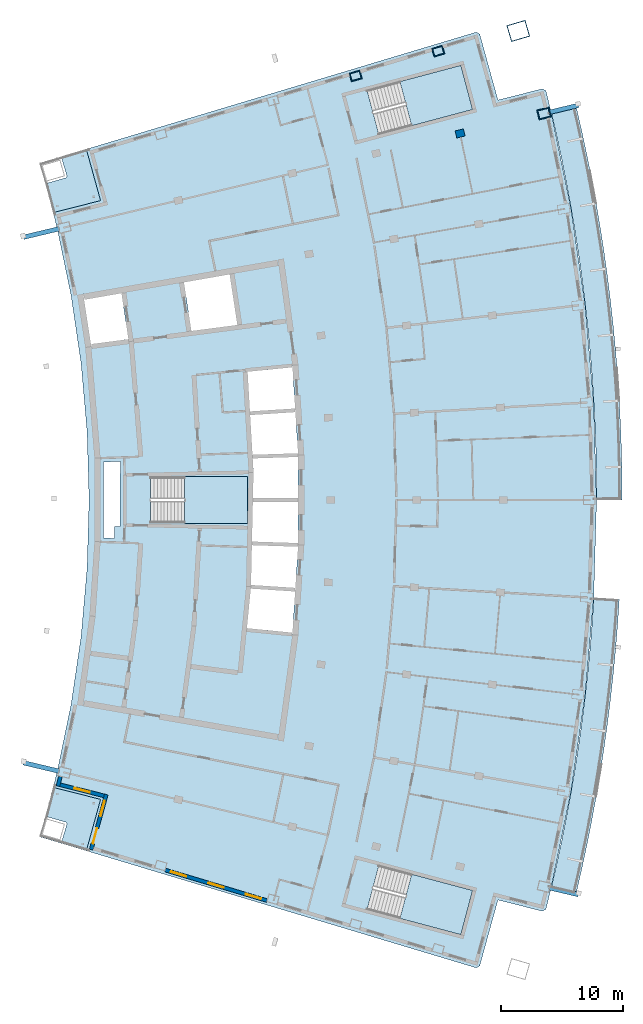
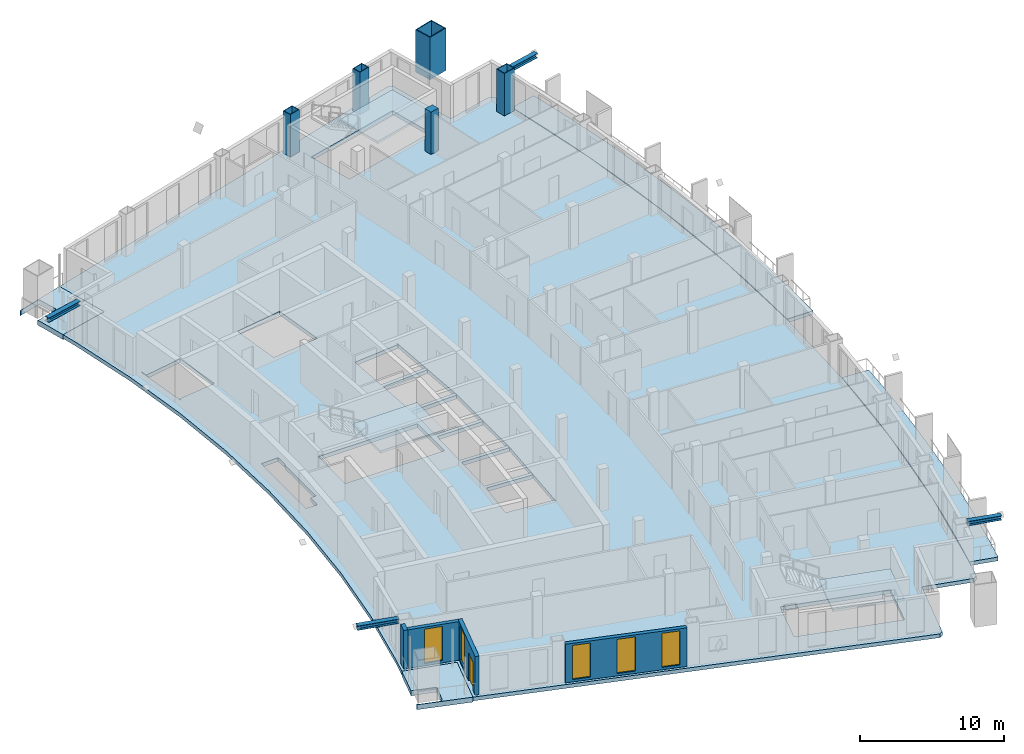
# One storey, part 6 of 15: 8 slabs, 5 columns, 5 windows, 4 members, 4 walls, 1 door, 6 openings, 3 elements without a shape of their own.
"""IFC4 building model written with IfcOpenShell, lengths in metres."""

import ifcopenshell
import ifcopenshell.guid

model = None  # the IFC model being written
_history = None  # IfcOwnerHistory: only IFC2X3 demands one
_inside = {}  # id of a spatial element -> (the spatial element, [elements in it])
_under = {}  # id of a project, library or spatial element -> (it, [spatial elements below it])
_declared = {}  # id of a project -> (the project, [libraries it declares])
_typed = {}  # id of a type object -> (the type object, [elements of that type])
_made_of = {}  # id of a material, layer set ... -> (it, [elements and type objects made of it])


def new_model(schema):
    """Start an empty IFC model of exactly this schema.

    Asked for "IFC4X3", IfcOpenShell would pick the latest addendum, in which some entities
    have other attributes; the version numbers below select the first issue.
    IFC2X3 requires an IfcOwnerHistory on every rooted entity: one is made here for all.
    """
    global model, _history
    if schema == "IFC4X3":
        model = ifcopenshell.file(schema_version=(4, 3, 0, 0))
    else:
        model = ifcopenshell.file(schema=schema)
    _inside.clear()
    _under.clear()
    _declared.clear()
    _typed.clear()
    _made_of.clear()
    _history = None
    if model.schema == "IFC2X3":
        org = make("IfcOrganization", Name="unknown")
        user = make(
            "IfcPersonAndOrganization",
            ThePerson=make("IfcPerson", FamilyName="unknown"),
            TheOrganization=org,
        )
        app = make(
            "IfcApplication",
            ApplicationDeveloper=org,
            Version="unknown",
            ApplicationFullName="unknown",
            ApplicationIdentifier="unknown",
        )
        _history = make(
            "IfcOwnerHistory",
            OwningUser=user,
            OwningApplication=app,
            ChangeAction="ADDED",
            CreationDate=0,
        )
    return model


def make(cls, **values):
    """One entity of the class cls with the attributes given. An attribute that is None is left unset."""
    return model.create_entity(
        cls, **{name: value for name, value in values.items() if value is not None}
    )


def rooted(cls, **values):
    """An entity with a GlobalId (a new one), such as an element, a storey or a relation."""
    return make(cls, GlobalId=ifcopenshell.guid.new(), OwnerHistory=_history, **values)


def si_unit(unit_type, name, prefix=None):
    """IfcSIUnit, for example si_unit("LENGTHUNIT", "METRE", prefix="MILLI")."""
    return make("IfcSIUnit", UnitType=unit_type, Prefix=prefix, Name=name)


def assignment(units):
    """IfcUnitAssignment: the units of a project."""
    return None if units is None else make("IfcUnitAssignment", Units=units)


def point(xyz):
    """IfcCartesianPoint."""
    return None if xyz is None else make("IfcCartesianPoint", Coordinates=xyz)


def direction(xyz):
    """IfcDirection."""
    return None if xyz is None else make("IfcDirection", DirectionRatios=xyz)


def frame(location, z_axis=None, x_axis=None):
    """IfcAxis2Placement3D, a coordinate frame: its origin and axes. An axis left out is left unset."""
    return make(
        "IfcAxis2Placement3D",
        Location=point(location),
        Axis=direction(z_axis),
        RefDirection=direction(x_axis),
    )


def frame_2d(location, x_axis=None):
    """IfcAxis2Placement2D, a coordinate frame in the plane: its origin and x axis."""
    return make(
        "IfcAxis2Placement2D", Location=point(location), RefDirection=direction(x_axis)
    )


def origin():
    """The frame at (0, 0, 0) with its axes left unset."""
    return frame((0.0, 0.0, 0.0))


def origin_2d():
    """The frame at (0, 0) in the plane with its x axis left unset."""
    return frame_2d((0.0, 0.0))


def place(relative_to, where):
    """IfcLocalPlacement: puts the frame where relative to a parent placement (None: the world)."""
    return make(
        "IfcLocalPlacement", PlacementRelTo=relative_to, RelativePlacement=where
    )


def context(
    kind, dimensions, precision=None, world=None, true_north=None, identifier=None
):
    """IfcGeometricRepresentationContext, for example the 3D "Model" context."""
    return make(
        "IfcGeometricRepresentationContext",
        ContextIdentifier=identifier,
        ContextType=kind,
        CoordinateSpaceDimension=dimensions,
        Precision=precision,
        WorldCoordinateSystem=world,
        TrueNorth=true_north,
    )


def subcontext(parent, identifier, kind, view, scale=None):
    """IfcGeometricRepresentationSubContext, for example "Body" below "Model"."""
    return make(
        "IfcGeometricRepresentationSubContext",
        ContextIdentifier=identifier,
        ContextType=kind,
        ParentContext=parent,
        TargetScale=scale,
        TargetView=view,
    )


def project(units=None, contexts=None):
    """IfcProject with its units and contexts."""
    return rooted(
        "IfcProject",
        Name="project",
        RepresentationContexts=contexts,
        UnitsInContext=assignment(units),
    )


def spatial(cls, under=None, at=None, **own):
    """A site, building, storey or space (cls), placed at a placement, below another one or the project."""
    s = rooted(cls, ObjectPlacement=at, **own)
    if under is not None:
        _under.setdefault(under.id(), (under, []))[1].append(s)
    return s


def polyline(points):
    """IfcPolyline through the points."""
    return make("IfcPolyline", Points=[point(p) for p in points])


def profile(cls, at=None, kind="AREA", **sizes):
    """A parametric profile (cls). Its sizes go by their IFC names, for example OverallWidth=200.0."""
    return make(cls, ProfileType=kind, Position=at, **sizes)


def rectangle(**sizes):
    """IfcRectangleProfileDef."""
    return profile("IfcRectangleProfileDef", **sizes)


def hollow_rectangle(**sizes):
    """IfcRectangleHollowProfileDef."""
    return profile("IfcRectangleHollowProfileDef", **sizes)


def i_section(**sizes):
    """IfcIShapeProfileDef."""
    return profile("IfcIShapeProfileDef", **sizes)


def outline(outer, holes=None, kind="AREA"):
    """IfcArbitraryClosedProfileDef: a profile drawn as a closed curve; with holes, ...WithVoids."""
    if holes is None:
        return make("IfcArbitraryClosedProfileDef", ProfileType=kind, OuterCurve=outer)
    return make(
        "IfcArbitraryProfileDefWithVoids",
        ProfileType=kind,
        OuterCurve=outer,
        InnerCurves=holes,
    )


def extrude(swept, where, along, depth):
    """IfcExtrudedAreaSolid: the profile swept, set in the frame where, extruded along a direction by depth."""
    return make(
        "IfcExtrudedAreaSolid",
        SweptArea=swept,
        Position=where,
        ExtrudedDirection=direction(along),
        Depth=depth,
    )


def shape(context_of_items, identifier, shape_type, items):
    """IfcShapeRepresentation: the items that make up one representation, for example the "Body"."""
    return make(
        "IfcShapeRepresentation",
        ContextOfItems=context_of_items,
        RepresentationIdentifier=identifier,
        RepresentationType=shape_type,
        Items=items,
    )


def material(Name=None, Category=None):
    """IfcMaterial."""
    return make("IfcMaterial", Name=Name, Category=Category)


def layer(
    of_material, thickness, ventilated=None, Name=None, Category=None, Priority=None
):
    """IfcMaterialLayer: one layer of a wall or slab, of a material (None: an air gap)."""
    return make(
        "IfcMaterialLayer",
        Material=of_material,
        LayerThickness=thickness,
        IsVentilated=ventilated,
        Name=Name,
        Category=Category,
        Priority=Priority,
    )


def layer_set(layers, Name=None):
    """IfcMaterialLayerSet."""
    return make("IfcMaterialLayerSet", MaterialLayers=layers, LayerSetName=Name)


def material_profile(
    of_material, cross_section, Name=None, Category=None, Priority=None
):
    """IfcMaterialProfile: a cross section and its material."""
    return make(
        "IfcMaterialProfile",
        Name=Name,
        Material=of_material,
        Profile=cross_section,
        Priority=Priority,
        Category=Category,
    )


def profile_set(profiles, Name=None, composite=None):
    """IfcMaterialProfileSet."""
    return make(
        "IfcMaterialProfileSet",
        Name=Name,
        MaterialProfiles=profiles,
        CompositeProfile=composite,
    )


def made_of(thing, what):
    """Note that an element or type object is made of a material, layer set ...; save() writes the relation."""
    if what is not None:
        _made_of.setdefault(what.id(), (what, []))[1].append(thing)
    return thing


def type_object(cls, material=None, **own):
    """A type object (cls), such as IfcWallType, which elements share."""
    return made_of(rooted(cls, **own), material)


def element(
    cls,
    number,
    at=None,
    inside=None,
    cuts=None,
    type_object=None,
    material=None,
    context=None,
    identifier="Body",
    shape_type=None,
    held_by="IfcProductDefinitionShape",
    body=None,
    shapes=None,
    **own,
):
    """One element of the class cls, such as IfcWall. Its Tag is "e" and its number.

    at: its placement. inside: the storey or other place that contains it. cuts: it is an
    opening in that element (IfcRelVoidsElement). A single representation is given by context,
    identifier, shape_type and body (its items); several are given by shapes. held_by: the class
    of the entity that holds the representations. save() writes the other relations.
    """
    e = rooted(cls, Tag="e%d" % number, ObjectPlacement=at, **own)
    if body is not None:
        shapes = [shape(context, identifier, shape_type, body)]
    if shapes is not None:
        e.Representation = make(held_by, Representations=shapes)
    if inside is not None:
        _inside.setdefault(inside.id(), (inside, []))[1].append(e)
    if cuts is not None:
        rooted(
            "IfcRelVoidsElement", RelatingBuildingElement=cuts, RelatedOpeningElement=e
        )
    if type_object is not None:
        _typed.setdefault(type_object.id(), (type_object, []))[1].append(e)
    return made_of(e, material)


def fill(opening, filler):
    """IfcRelFillsElement: the door or window that sits in an opening."""
    return rooted(
        "IfcRelFillsElement",
        RelatingOpeningElement=opening,
        RelatedBuildingElement=filler,
    )


def aggregate(whole, parts):
    """IfcRelAggregates: a whole, such as a stair, and the parts it consists of."""
    return rooted("IfcRelAggregates", RelatingObject=whole, RelatedObjects=parts)


def save(model, path):
    """Write the relations noted so far, then the file.

    IfcRelAggregates (storeys below a building ...), IfcRelContainedInSpatialStructure (elements
    in a storey), IfcRelDefinesByType, IfcRelAssociatesMaterial and IfcRelDeclares: one each for
    every whole, place, type object, material and project.
    """
    for whole, parts in _under.values():
        aggregate(whole, parts)
    for where, things in _inside.values():
        rooted(
            "IfcRelContainedInSpatialStructure",
            RelatedElements=things,
            RelatingStructure=where,
        )
    for kind, things in _typed.values():
        rooted("IfcRelDefinesByType", RelatedObjects=things, RelatingType=kind)
    for what, things in _made_of.values():
        rooted("IfcRelAssociatesMaterial", RelatedObjects=things, RelatingMaterial=what)
    for by, libraries in _declared.values():
        rooted("IfcRelDeclares", RelatingContext=by, RelatedDefinitions=libraries)
    model.write(path)


model = new_model("IFC4")

# Units and contexts
model_context = context("Model", 3, precision=1e-05, world=origin(), true_north=direction((0.0, 1.0)))
body_context = subcontext(model_context, "Body", "Model", "MODEL_VIEW")
ifc_project = project(units=[si_unit("LENGTHUNIT", "METRE"), si_unit("AREAUNIT", "SQUARE_METRE"), si_unit("VOLUMEUNIT", "CUBIC_METRE"), si_unit("PLANEANGLEUNIT", "RADIAN"), si_unit("MASSUNIT", "GRAM", prefix="KILO")], contexts=[model_context])

# Site, building, storey
site_placement = place(None, origin())
site = spatial("IfcSite", under=ifc_project, at=site_placement, CompositionType="ELEMENT")
building_placement = place(site_placement, origin())
building = spatial("IfcBuilding", under=site, at=building_placement, Name="Alderwake Tower", CompositionType="ELEMENT")
storey_placement = place(building_placement, frame((0.0, 0.0, 252.800048828125)))
storey = spatial("IfcBuildingStorey", under=building, at=storey_placement, Name="L62", CompositionType="ELEMENT", Elevation=252.800048828125)

# Columns
ifc_material_1 = material(Name="Steel ASTM A572 Grade 50 concrete filled C70/85", Category="concrete")
ifc_material_profile_1 = material_profile(ifc_material_1, hollow_rectangle(XDim=0.699951171875, YDim=0.89990234375, WallThickness=0.050048828125, at=origin_2d()), Name="BOX 900X700X50")
ifc_profile_set_1 = profile_set([ifc_material_profile_1], Name="Steel ASTM A572 Grade 50 concrete filled C70/85")
column_type_1 = type_object("IfcColumnType", Name="End column Z5", PredefinedType="COLUMN", material=ifc_profile_set_1)
for number, where, z_axis, x_axis, name in (
    (1, (37.8486328125, 95.755126953125, 0.0), (0.0, 0.0, 1.0), (-0.28286882455, 0.959158604245, 0.0), "Column R12-C3"),
    (2, (44.616943359375, 97.787109375, 0.0), (0.0, 0.0, 1.0), (-0.283123269824, 0.95908352821, 0.0), "Column R12-C4"),
):
    element("IfcColumn", number, at=place(storey_placement, frame(where, z_axis=z_axis, x_axis=x_axis)), inside=storey, type_object=column_type_1, Name=name, PredefinedType="COLUMN", context=body_context, shape_type="SweptSolid", body=[
        extrude(hollow_rectangle(XDim=0.699951171875, YDim=0.89990234375, WallThickness=0.050048828125, at=origin_2d()), origin(), (0.0, 0.0, 1.0), 3.599853515625),
    ])
ifc_material_2 = material(Name="Concrete C70/85", Category="concrete")
ifc_material_profile_2 = material_profile(ifc_material_2, rectangle(XDim=0.60009765625, YDim=0.699951171875, at=origin_2d()), Name="RC 700X600")
ifc_profile_set_2 = profile_set([ifc_material_profile_2], Name="Concrete C70/85")
column_type_2 = type_object("IfcColumnType", Name="Interior column Z5", PredefinedType="COLUMN", material=ifc_profile_set_2)
column_1_placement = place(storey_placement, frame((46.412109375, 91.04345703125, 0.0), z_axis=(0.0, 0.0, 1.0), x_axis=(-0.231221547198, 0.972901123502, 0.0)))
element("IfcColumn", 3, at=column_1_placement, inside=storey, type_object=column_type_2, Name="Column R11-C4", PredefinedType="COLUMN", context=body_context, shape_type="SweptSolid", body=[
    extrude(rectangle(XDim=0.60009765625, YDim=0.699951171875, at=origin_2d()), origin(), (0.0, 0.0, 1.0), 3.599853515625),
])
ifc_material_3 = material(Name="Steel ASTM A572 Grade 50 concrete filled C70/85", Category="concrete")
ifc_material_profile_3 = material_profile(ifc_material_3, hollow_rectangle(XDim=1.39990234375, YDim=1.60009765625, WallThickness=0.070068359375, at=origin_2d()), Name="BOX 1600X1400X70")
ifc_profile_set_3 = profile_set([ifc_material_profile_3], Name="Steel ASTM A572 Grade 50 concrete filled C70/85")
column_type_3 = type_object("IfcColumnType", Name="Mega column Z5", PredefinedType="COLUMN", material=ifc_profile_set_3)
column_2_placement = place(storey_placement, frame((51.181884765625, 99.447021484375, 0.0), z_axis=(0.0, 0.0, 1.0), x_axis=(-0.281251293329, 0.959634154249, 0.0)))
element("IfcColumn", 4, at=column_2_placement, inside=storey, type_object=column_type_3, Name="Column R12-C5", PredefinedType="COLUMN", context=body_context, shape_type="SweptSolid", body=[
    extrude(hollow_rectangle(XDim=1.39990234375, YDim=1.60009765625, WallThickness=0.070068359375, at=origin_2d()), origin(), (0.0, 0.0, 1.0), 3.599853515625),
])
ifc_material_4 = material(Name="Steel ASTM A572 Grade 50 concrete filled C70/85", Category="concrete")
ifc_material_profile_4 = material_profile(ifc_material_4, hollow_rectangle(XDim=0.800048828125, YDim=1.0, WallThickness=0.054931640625, at=origin_2d()), Name="BOX 1000X800X55")
ifc_profile_set_4 = profile_set([ifc_material_profile_4], Name="Steel ASTM A572 Grade 50 concrete filled C70/85")
column_type_4 = type_object("IfcColumnType", Name="Perimeter column Z5", PredefinedType="COLUMN", material=ifc_profile_set_4)
column_3_placement = place(storey_placement, frame((53.287353515625, 92.677490234375, 0.0), z_axis=(0.0, 0.0, 1.0), x_axis=(-0.231221547198, 0.972901123502, 0.0)))
element("IfcColumn", 5, at=column_3_placement, inside=storey, type_object=column_type_4, Name="Column R11-C5", PredefinedType="COLUMN", context=body_context, shape_type="SweptSolid", body=[
    extrude(hollow_rectangle(XDim=0.800048828125, YDim=1.0, WallThickness=0.054931640625, at=origin_2d()), origin(), (0.0, 0.0, 1.0), 3.599853515625),
])

# Members
ifc_material_5 = material(Name="Steel ASTM A992 Grade 50", Category="steel")
ifc_material_profile_5 = material_profile(ifc_material_5, i_section(OverallWidth=0.3740234375, OverallDepth=0.372314453125, WebThickness=0.016357421875, FlangeThickness=0.026123046875, at=origin_2d()), Name="W14X132")
ifc_profile_set_5 = profile_set([ifc_material_profile_5], Name="Steel ASTM A992 Grade 50")
member_type = type_object("IfcMemberType", Name="Brace node stub W14X132", PredefinedType="MEMBER", material=ifc_profile_set_5)
for number, where, z_axis, x_axis, name in (
    (6, (53.724365234375, 29.215087890625, 3.393798828125), (0.973255058186, -0.229727211525, 0.0), (0.229727211525, 0.973255058186, 0.0), "Brace node stub BS.FR03-C5.2564"),
    (7, (53.72607421875, 92.77783203125, 3.393798828125), (0.972568612264, 0.232616195565, 0.0), (-0.232616195565, 0.972568612264, 0.0), "Brace node stub BS.FR11-C5.2564"),
):
    element("IfcMember", number, at=place(storey_placement, frame(where, z_axis=z_axis, x_axis=x_axis)), inside=storey, type_object=member_type, Name=name, PredefinedType="MEMBER", context=body_context, shape_type="SweptSolid", body=[
        extrude(i_section(OverallWidth=0.3740234375, OverallDepth=0.372314453125, WebThickness=0.016357421875, FlangeThickness=0.026123046875, at=origin_2d()), origin(), (0.0, 0.0, 1.0), 2.452880859375),
    ])
for number, where, z_axis, x_axis, name in (
    (8, (13.54443359375, 38.76806640625, 3.393798828125), (-0.972911461409, 0.2311780445, 0.0), (-0.2311780445, -0.972911461409, 0.0), "Brace node stub BS.RR03-C0.2564"),
    (9, (13.54443359375, 83.23193359375, 3.393798828125), (-0.972911461409, -0.2311780445, 0.0), (0.2311780445, -0.972911461409, 0.0), "Brace node stub BS.RR11-C0.2564"),
):
    element("IfcMember", number, at=place(storey_placement, frame(where, z_axis=z_axis, x_axis=x_axis)), inside=storey, type_object=member_type, Name=name, PredefinedType="MEMBER", context=body_context, shape_type="SweptSolid", body=[
        extrude(i_section(OverallWidth=0.3740234375, OverallDepth=0.372314453125, WebThickness=0.016357421875, FlangeThickness=0.026123046875, at=origin_2d()), origin(), (0.0, 0.0, 1.0), 3.0087890625),
    ])

# Slabs
ifc_material_6 = material(Name="Concrete C50/60", Category="concrete")
ifc_layer_1 = layer(ifc_material_6, 0.320068359375)
ifc_layer_set_1 = layer_set([ifc_layer_1], Name="Balcony slab 320")
slab_type_1 = type_object("IfcSlabType", Name="Balcony slab 320", PredefinedType="FLOOR", material=ifc_layer_set_1)
slab_1_placement = place(storey_placement, frame((0.0, 0.0, -0.320068359375)))
element("IfcSlab", 10, at=slab_1_placement, inside=storey, type_object=slab_type_1, Name="Balcony BF03", PredefinedType="FLOOR", context=body_context, shape_type="SweptSolid", body=[
    extrude(outline(polyline([(56.798583984375, 32.67578125), (57.197021484375, 34.673583984375), (57.56640625, 36.677001953125), (57.906494140625, 38.685791015625), (58.217041015625, 40.69921875), (58.49853515625, 42.717041015625), (58.750244140625, 44.738525390625), (58.97265625, 46.763671875), (59.16552734375, 48.791748046875), (59.328857421875, 50.822509765625), (59.46240234375, 52.85546875), (57.365966796875, 52.977783203125), (57.234375, 50.9755859375), (57.073486328125, 48.975341796875), (56.8837890625, 46.977783203125), (56.66455078125, 44.983154296875), (56.41650390625, 42.99169921875), (56.139404296875, 41.00439453125), (55.833251953125, 39.021240234375), (55.498291015625, 37.042724609375), (55.134521484375, 35.0693359375), (54.7421875, 33.101318359375), (54.32080078125, 31.139404296875), (53.87109375, 29.183837890625), (55.914306640625, 28.6982421875), (56.370849609375, 30.683837890625), (56.798583984375, 32.67578125)])), origin(), (0.0, 0.0, 1.0), 0.320068359375),
])
slab_2_placement = place(storey_placement, frame((0.0, 0.0, -0.320068359375)))
element("IfcSlab", 11, at=slab_2_placement, inside=storey, type_object=slab_type_1, Name="Balcony BF07", PredefinedType="FLOOR", context=body_context, shape_type="SweptSolid", body=[
    extrude(outline(polyline([(59.68505859375, 63.037109375), (59.640625, 65.073974609375), (59.56640625, 67.10986328125), (59.46240234375, 69.14453125), (59.328857421875, 71.177490234375), (59.16552734375, 73.208251953125), (58.97265625, 75.236328125), (58.750244140625, 77.261474609375), (58.49853515625, 79.282958984375), (58.217041015625, 81.30078125), (57.906494140625, 83.314208984375), (57.56640625, 85.322998046875), (57.197021484375, 87.326416015625), (56.798583984375, 89.32421875), (56.370849609375, 91.316162109375), (55.914306640625, 93.3017578125), (53.87109375, 92.816162109375), (54.32080078125, 90.860595703125), (54.7421875, 88.898681640625), (55.134521484375, 86.9306640625), (55.498291015625, 84.957275390625), (55.833251953125, 82.978759765625), (56.139404296875, 80.99560546875), (56.41650390625, 79.00830078125), (56.66455078125, 77.016845703125), (56.8837890625, 75.022216796875), (57.073486328125, 73.024658203125), (57.234375, 71.0244140625), (57.365966796875, 69.022216796875), (57.46826171875, 67.01806640625), (57.54150390625, 65.0126953125), (57.58544921875, 63.006591796875), (57.60009765625, 61.0), (59.699951171875, 61.0), (59.68505859375, 63.037109375)])), origin(), (0.0, 0.0, 1.0), 0.320068359375),
])
ifc_material_7 = material(Name="Concrete C50/60", Category="concrete")
ifc_layer_2 = layer(ifc_material_7, 0.320068359375)
ifc_layer_set_2 = layer_set([ifc_layer_2], Name="Concrete C50/60 post-tensioned flat plate 320")
slab_type_2 = type_object("IfcSlabType", Name="Concrete C50/60 post-tensioned flat plate 320", PredefinedType="FLOOR", material=ifc_layer_set_2)
slab_3_placement = place(storey_placement, frame((0.0, 0.0, -0.320068359375)))
element("IfcSlab", 12, at=slab_3_placement, inside=storey, type_object=slab_type_2, Name="Floor slab L62", PredefinedType="FLOOR", context=body_context, shape_type="SweptSolid", body=[
    extrude(outline(polyline([(13.06494140625, 37.443115234375), (13.3984375, 38.802734375), (14.53369140625, 44.28564453125), (15.347412109375, 49.825439453125), (15.836669921875, 55.4033203125), (16.0, 61.0), (15.836669921875, 66.5966796875), (15.347412109375, 72.174560546875), (14.53369140625, 77.71435546875), (13.3984375, 83.197265625), (13.06494140625, 84.556884765625), (16.942626953125, 85.53857421875), (15.776611328125, 89.7548828125), (47.7373046875, 99.350341796875), (48.018798828125, 99.19482421875), (49.515380859375, 93.783447265625), (53.169921875, 94.70849609375), (53.44775390625, 94.54150390625), (53.87109375, 92.816162109375), (55.498291015625, 84.957275390625), (56.66455078125, 77.016845703125), (57.365966796875, 69.022216796875), (57.60009765625, 61.0), (57.365966796875, 52.977783203125), (56.66455078125, 44.983154296875), (55.498291015625, 37.042724609375), (53.87109375, 29.183837890625), (53.44775390625, 27.45849609375), (53.169921875, 27.29150390625), (49.515380859375, 28.216552734375), (48.018798828125, 22.80517578125), (47.7373046875, 22.649658203125), (15.776611328125, 32.2451171875), (16.942626953125, 36.46142578125), (13.06494140625, 37.443115234375)]), holes=[polyline([(29.2578125, 53.77197265625), (28.9365234375, 50.4912109375), (32.646484375, 50.128173828125), (32.6318359375, 49.978759765625), (32.661865234375, 49.975830078125), (32.90087890625, 53.64794921875), (33.139892578125, 57.320068359375), (33.139892578125, 61.0), (33.139892578125, 64.679931640625), (32.90087890625, 68.35205078125), (32.661865234375, 72.024169921875), (32.6318359375, 72.021240234375), (32.646484375, 71.871826171875), (28.886962890625, 71.50390625), (28.88720703125, 71.50048828125), (28.99462890625, 71.506591796875), (29.184814453125, 68.26025390625), (32.861083984375, 68.499755859375), (32.87109375, 68.35009765625), (32.880615234375, 68.200439453125), (29.2021484375, 67.960693359375), (29.392578125, 64.7080078125), (33.105224609375, 64.828857421875), (33.110107421875, 64.678955078125), (33.114990234375, 64.529052734375), (29.41015625, 64.408447265625), (29.4765625, 63.27685546875), (29.429443359375, 61.14990234375), (33.110107421875, 61.14990234375), (33.110107421875, 61.0), (33.110107421875, 60.85009765625), (29.4228515625, 60.85009765625), (29.350830078125, 57.593505859375), (33.114990234375, 57.470947265625), (33.110107421875, 57.321044921875), (33.105224609375, 57.171142578125), (29.34423828125, 57.29345703125), (29.2705078125, 53.969482421875), (29.274169921875, 53.969482421875), (29.2783203125, 54.0341796875), (32.880615234375, 53.799560546875), (32.87109375, 53.64990234375), (32.861083984375, 53.500244140625), (29.2587890625, 53.73486328125), (29.26123046875, 53.771728515625), (29.2578125, 53.77197265625)]), polyline([(21.050048828125, 62.875), (21.050048828125, 59.125), (29.0, 59.125), (29.0, 62.875), (21.050048828125, 62.875)]), polyline([(15.54345703125, 77.892822265625), (15.437744140625, 77.874267578125), (15.4384765625, 77.87060546875), (15.519287109375, 77.8828125), (16.180908203125, 73.579833984375), (16.210693359375, 73.583740234375), (16.184814453125, 73.781982421875), (19.224609375, 74.1796875), (18.656005859375, 77.940673828125), (18.852294921875, 77.97021484375), (18.8505859375, 77.980224609375), (15.626220703125, 77.418212890625), (15.54345703125, 77.892822265625)]), polyline([(27.521240234375, 79.491943359375), (23.77783203125, 78.83935546875), (24.384033203125, 74.858642578125), (24.3642578125, 74.855712890625), (24.36474609375, 74.851806640625), (28.152587890625, 75.347412109375), (27.521240234375, 79.491943359375)]), polyline([(47.436279296875, 28.996826171875), (39.754150390625, 31.043212890625), (38.7890625, 27.41943359375), (46.47119140625, 25.373291015625), (47.436279296875, 28.996826171875)]), polyline([(46.47119140625, 96.626708984375), (38.7890625, 94.58056640625), (39.754150390625, 90.956787109375), (47.436279296875, 93.003173828125), (46.47119140625, 96.626708984375)]), polyline([(17.189453125, 64.114990234375), (17.189453125, 57.885009765625), (18.06298828125, 57.85400390625), (18.090576171875, 58.84375), (18.544189453125, 58.831298828125), (18.529296875, 58.8681640625), (18.5234375, 58.891845703125), (18.5185546875, 58.940673828125), (18.5185546875, 63.060302734375), (18.5234375, 63.109130859375), (18.53759765625, 63.156005859375), (18.560791015625, 63.19921875), (18.588623046875, 63.2333984375), (18.562744140625, 64.16357421875), (17.189453125, 64.114990234375)])]), origin(), (0.0, 0.0, 1.0), 0.320068359375),
])

# Stair, slab
ifc_material_8 = material(Name="Concrete C40/50", Category="concrete")
stair_type = type_object("IfcStairType", Name="Core exit stair", PredefinedType="HALF_TURN_STAIR", material=ifc_material_8)
stair_1_placement = place(storey_placement, origin())
stair_1 = element("IfcStair", 13, at=stair_1_placement, inside=storey, type_object=stair_type, Name="L62 Exit Stair B", PredefinedType="HALF_TURN_STAIR")
ifc_material_9 = material(Name="Concrete C40/50", Category="concrete")
ifc_layer_3 = layer(ifc_material_9, 0.199951171875)
ifc_layer_set_3 = layer_set([ifc_layer_3], Name="Core stair landing 200")
slab_type_3 = type_object("IfcSlabType", Name="Core stair landing 200", PredefinedType="LANDING", material=ifc_layer_set_3)
slab_4_placement = place(storey_placement, frame((0.0, 0.0, 1.599853515625)))
slab_4 = element("IfcSlab", 14, at=slab_4_placement, type_object=slab_type_3, Name="ST-B landing 1", PredefinedType="LANDING", context=body_context, shape_type="SweptSolid", body=[
    extrude(outline(polyline([(23.830078125, 59.074951171875), (29.0, 59.074951171875), (29.0, 62.925048828125), (23.830078125, 62.925048828125), (23.830078125, 59.074951171875)])), origin(), (0.0, 0.0, 1.0), 0.2001953125),
])
aggregate(stair_1, [slab_4])

stair_2_placement = place(storey_placement, origin())
stair_2 = element("IfcStair", 15, at=stair_2_placement, inside=storey, type_object=stair_type, Name="L62 Exit Stair A", PredefinedType="HALF_TURN_STAIR")
slab_5_placement = place(storey_placement, frame((0.0, 0.0, 1.599853515625)))
slab_5 = element("IfcSlab", 16, at=slab_5_placement, type_object=slab_type_3, Name="ST-A landing 1", PredefinedType="LANDING", context=body_context, shape_type="SweptSolid", body=[
    extrude(outline(polyline([(42.440673828125, 91.67236328125), (47.436279296875, 93.003173828125), (46.47119140625, 96.626708984375), (41.475341796875, 95.296142578125), (42.440673828125, 91.67236328125)])), origin(), (0.0, 0.0, 1.0), 0.2001953125),
])
aggregate(stair_2, [slab_5])

stair_3_placement = place(storey_placement, origin())
stair_3 = element("IfcStair", 17, at=stair_3_placement, inside=storey, type_object=stair_type, Name="L62 Exit Stair C", PredefinedType="HALF_TURN_STAIR")
slab_6_placement = place(storey_placement, frame((0.0, 0.0, 1.599853515625)))
slab_6 = element("IfcSlab", 18, at=slab_6_placement, type_object=slab_type_3, Name="ST-C landing 1", PredefinedType="LANDING", context=body_context, shape_type="SweptSolid", body=[
    extrude(outline(polyline([(41.475341796875, 26.703857421875), (46.47119140625, 25.373291015625), (47.436279296875, 28.996826171875), (42.4404296875, 30.32763671875), (41.475341796875, 26.703857421875)])), origin(), (0.0, 0.0, 1.0), 0.2001953125),
])
aggregate(stair_3, [slab_6])

# Slabs
ifc_material_10 = material(Name="Concrete C50/60", Category="concrete")
ifc_layer_4 = layer(ifc_material_10, 0.419921875)
ifc_layer_set_4 = layer_set([ifc_layer_4], Name="Terrace slab 420")
slab_type_4 = type_object("IfcSlabType", Name="Terrace slab 420", PredefinedType="FLOOR", material=ifc_layer_set_4)
slab_7_placement = place(storey_placement, frame((0.0, 0.0, -0.420166015625)))
element("IfcSlab", 19, at=slab_7_placement, inside=storey, type_object=slab_type_4, Name="Corner terrace RS", PredefinedType="FLOOR", context=body_context, shape_type="SweptSolid", body=[
    extrude(outline(polyline([(15.776611328125, 32.2451171875), (11.945556640625, 33.395263671875), (11.9697265625, 33.478271484375), (11.97607421875, 33.46826171875), (11.985107421875, 33.456298828125), (11.9951171875, 33.44580078125), (12.006103515625, 33.435791015625), (12.017822265625, 33.42724609375), (12.03076171875, 33.419921875), (12.0439453125, 33.413818359375), (12.05810546875, 33.408935546875), (13.594482421875, 32.963134765625), (13.60888671875, 32.959716796875), (13.62353515625, 32.957763671875), (13.63818359375, 32.957275390625), (13.65283203125, 32.9580078125), (13.66748046875, 32.96044921875), (13.681640625, 32.964111328125), (13.695556640625, 32.969482421875), (13.708740234375, 32.975830078125), (13.72119140625, 32.9833984375), (13.73291015625, 32.992431640625), (13.74365234375, 33.00244140625), (13.75341796875, 33.013427734375), (13.76220703125, 33.025390625), (13.76953125, 33.0380859375), (13.775634765625, 33.051513671875), (13.780517578125, 33.0654296875), (14.17041015625, 34.409912109375), (14.173828125, 34.42431640625), (14.17578125, 34.43896484375), (14.176513671875, 34.45361328125), (14.175537109375, 34.46826171875), (14.173095703125, 34.48291015625), (14.16943359375, 34.4970703125), (14.164306640625, 34.510986328125), (14.157958984375, 34.524169921875), (14.150146484375, 34.53662109375), (14.14111328125, 34.54833984375), (14.131103515625, 34.55908203125), (14.1201171875, 34.56884765625), (14.1083984375, 34.577392578125), (14.095458984375, 34.5849609375), (14.082275390625, 34.591064453125), (14.068115234375, 34.595947265625), (12.531494140625, 35.04150390625), (12.517333984375, 35.044921875), (12.502685546875, 35.047119140625), (12.488037109375, 35.047607421875), (12.473388671875, 35.046630859375), (12.458740234375, 35.044189453125), (12.444580078125, 35.04052734375), (12.4306640625, 35.035400390625), (12.418701171875, 35.029541015625), (12.71142578125, 36.08837890625), (13.06494140625, 37.443115234375), (16.942626953125, 36.46142578125), (15.776611328125, 32.2451171875)])), origin(), (0.0, 0.0, 1.0), 0.420166015625),
])
slab_8_placement = place(storey_placement, frame((0.0, 0.0, -0.420166015625)))
element("IfcSlab", 20, at=slab_8_placement, inside=storey, type_object=slab_type_4, Name="Corner terrace RN", PredefinedType="FLOOR", context=body_context, shape_type="SweptSolid", body=[
    extrude(outline(polyline([(12.418701171875, 86.970458984375), (12.4306640625, 86.964599609375), (12.444580078125, 86.95947265625), (12.458740234375, 86.955810546875), (12.473388671875, 86.953369140625), (12.488037109375, 86.952392578125), (12.502685546875, 86.952880859375), (12.517333984375, 86.955078125), (12.531494140625, 86.95849609375), (14.068115234375, 87.404052734375), (14.082275390625, 87.408935546875), (14.095458984375, 87.4150390625), (14.1083984375, 87.422607421875), (14.1201171875, 87.43115234375), (14.131103515625, 87.44091796875), (14.14111328125, 87.45166015625), (14.150146484375, 87.46337890625), (14.157958984375, 87.475830078125), (14.164306640625, 87.489013671875), (14.16943359375, 87.5029296875), (14.173095703125, 87.51708984375), (14.175537109375, 87.53173828125), (14.176513671875, 87.54638671875), (14.17578125, 87.56103515625), (14.173828125, 87.57568359375), (14.17041015625, 87.590087890625), (13.780517578125, 88.9345703125), (13.775634765625, 88.948486328125), (13.76953125, 88.9619140625), (13.76220703125, 88.974609375), (13.75341796875, 88.986572265625), (13.74365234375, 88.99755859375), (13.73291015625, 89.007568359375), (13.72119140625, 89.0166015625), (13.708740234375, 89.024169921875), (13.695556640625, 89.030517578125), (13.681640625, 89.035888671875), (13.66748046875, 89.03955078125), (13.65283203125, 89.0419921875), (13.63818359375, 89.042724609375), (13.62353515625, 89.042236328125), (13.60888671875, 89.040283203125), (13.594482421875, 89.036865234375), (12.05810546875, 88.591064453125), (12.0439453125, 88.586181640625), (12.03076171875, 88.580078125), (12.017822265625, 88.57275390625), (12.006103515625, 88.564208984375), (11.9951171875, 88.55419921875), (11.985107421875, 88.543701171875), (11.97607421875, 88.53173828125), (11.9697265625, 88.521728515625), (11.945556640625, 88.604736328125), (15.776611328125, 89.7548828125), (16.942626953125, 85.53857421875), (13.06494140625, 84.556884765625), (12.71142578125, 85.91162109375), (12.418701171875, 86.970458984375)])), origin(), (0.0, 0.0, 1.0), 0.420166015625),
])

# Wall
ifc_material_11 = material(Name="Precast concrete C50/60 spandrel panel", Category="concrete")
ifc_layer_5 = layer(ifc_material_11, 0.300048828125)
ifc_layer_set_5 = layer_set([ifc_layer_5], Name="External wall EW1 Precast concrete C50/60 spandrel")
wall_type_1 = type_object("IfcWallType", Name="External wall EW1 Precast concrete C50/60 spandrel", PredefinedType="SOLIDWALL", material=ifc_layer_set_5)
wall_1_placement = place(storey_placement, frame((13.643310546875, 38.33154296875, 0.0), z_axis=(0.0, 0.0, 1.0), x_axis=(-0.238313493867, -0.971188281767, 0.0)))
element("IfcWall", 21, at=wall_1_placement, inside=storey, type_object=wall_type_1, Name="External wall 1", PredefinedType="SOLIDWALL", context=body_context, shape_type="SweptSolid", body=[
    extrude(rectangle(XDim=0.80322265625, YDim=0.300048828125, at=frame_2d((0.401611328125, 0.0))), origin(), (0.0, 0.0, 1.0), 3.280029296875),
])

# Wall, opening, window
ifc_material_12 = material(Name="Bronze metal cladding on lightweight framing")
ifc_layer_6 = layer(ifc_material_12, 0.300048828125)
ifc_layer_set_6 = layer_set([ifc_layer_6], Name="External wall EW2 bronze metal cladding")
wall_type_2 = type_object("IfcWallType", Name="External wall EW2 bronze metal cladding", PredefinedType="SOLIDWALL", material=ifc_layer_set_6)
wall_2_placement = place(storey_placement, frame((13.633056640625, 37.660400390625, 0.0), z_axis=(0.0, 0.0, 1.0), x_axis=(0.969417366605, -0.245417948254, 0.0)))
wall_2 = element("IfcWall", 22, at=wall_2_placement, inside=storey, type_object=wall_type_2, Name="External wall 2", PredefinedType="SOLIDWALL", context=body_context, shape_type="SweptSolid", body=[
    extrude(rectangle(XDim=3.70556640625, YDim=0.300048828125, at=frame_2d((1.852783203125, 0.0))), origin(), (0.0, 0.0, 1.0), 3.280029296875),
])
opening_1_placement = place(wall_2_placement, frame((1.202880859375, 0.0, 0.199951171875)))
opening_1 = element("IfcOpeningElement", 23, at=opening_1_placement, cuts=wall_2, Name="Opening W1", PredefinedType="OPENING", context=body_context, shape_type="SweptSolid", body=[
    extrude(rectangle(XDim=1.300048828125, YDim=2.89990234375, at=frame_2d((0.64990234375, 1.449951171875))), frame((0.0, 0.159912109375, 0.0), z_axis=(0.0, -1.0, 0.0), x_axis=(1.0, 0.0, 0.0)), (0.0, 0.0, 1.0), 0.320068359375),
])
ifc_material_13 = material(Name="Bronze tinted glass in aluminium frame", Category="aluminium")
window_type = type_object("IfcWindowType", Name="Window W1 tall fixed and vent", PartitioningType="DOUBLE_PANEL_VERTICAL", PredefinedType="WINDOW", material=ifc_material_13)
window_1_placement = place(opening_1_placement, origin())
window_1 = element("IfcWindow", 24, at=window_1_placement, inside=storey, type_object=window_type, Name="Window W1 tall fixed and vent", OverallHeight=2.89990234375, OverallWidth=1.300048828125, PartitioningType="DOUBLE_PANEL_VERTICAL", PredefinedType="WINDOW", context=body_context, shape_type="SweptSolid", body=[
    extrude(rectangle(XDim=1.300048828125, YDim=2.89990234375, at=frame_2d((0.64990234375, 1.449951171875))), frame((0.0, 0.030029296875, 0.0), z_axis=(0.0, -1.0, 0.0), x_axis=(1.0, 0.0, 0.0)), (0.0, 0.0, 1.0), 0.06005859375),
])
fill(opening_1, window_1)

# Wall, openings, door, window
wall_3_placement = place(storey_placement, frame((17.410400390625, 36.85888671875, 0.0), z_axis=(0.0, 0.0, 1.0), x_axis=(-0.264592640785, -0.96436027212, 0.0)))
wall_3 = element("IfcWall", 25, at=wall_3_placement, inside=storey, type_object=wall_type_2, Name="External wall 3", PredefinedType="SOLIDWALL", context=body_context, shape_type="SweptSolid", body=[
    extrude(rectangle(XDim=4.690185546875, YDim=0.300048828125, at=frame_2d((2.34521484375, 0.0))), origin(), (0.0, 0.0, 1.0), 3.280029296875),
])
opening_2_placement = place(wall_3_placement, frame((0.5224609375, 0.0, 0.199951171875)))
opening_2 = element("IfcOpeningElement", 26, at=opening_2_placement, cuts=wall_3, Name="Opening W1", PredefinedType="OPENING", context=body_context, shape_type="SweptSolid", body=[
    extrude(rectangle(XDim=1.300048828125, YDim=2.89990234375, at=frame_2d((0.64990234375, 1.449951171875))), frame((0.0, 0.159912109375, 0.0), z_axis=(0.0, -1.0, 0.0), x_axis=(1.0, 0.0, 0.0)), (0.0, 0.0, 1.0), 0.320068359375),
])
opening_3_placement = place(wall_3_placement, frame((2.867431640625, 0.0, 0.0)))
opening_3 = element("IfcOpeningElement", 27, at=opening_3_placement, cuts=wall_3, Name="Opening D01", PredefinedType="OPENING", context=body_context, shape_type="SweptSolid", body=[
    extrude(rectangle(XDim=1.300048828125, YDim=2.39990234375, at=frame_2d((0.64990234375, 1.199951171875))), frame((0.0, 0.159912109375, 0.0), z_axis=(0.0, -1.0, 0.0), x_axis=(1.0, 0.0, 0.0)), (0.0, 0.0, 1.0), 0.320068359375),
])
ifc_material_14 = material(Name="Bronze tinted glass in aluminium frame", Category="aluminium")
door_type = type_object("IfcDoorType", Name="Balcony door BD sliding", OperationType="SLIDING_TO_LEFT", PredefinedType="DOOR", material=ifc_material_14)
door_placement = place(opening_3_placement, origin())
door = element("IfcDoor", 28, at=door_placement, inside=storey, type_object=door_type, Name="Door D01", OperationType="SLIDING_TO_LEFT", OverallHeight=2.39990234375, OverallWidth=1.300048828125, PredefinedType="DOOR", context=body_context, shape_type="SweptSolid", body=[
    extrude(rectangle(XDim=1.300048828125, YDim=2.39990234375, at=frame_2d((0.64990234375, 1.199951171875))), frame((0.0, 0.02490234375, 0.0), z_axis=(0.0, -1.0, 0.0), x_axis=(1.0, 0.0, 0.0)), (0.0, 0.0, 1.0), 0.050048828125),
])
fill(opening_3, door)
window_2_placement = place(opening_2_placement, origin())
window_2 = element("IfcWindow", 29, at=window_2_placement, inside=storey, type_object=window_type, Name="Window W1 tall fixed and vent", OverallHeight=2.89990234375, OverallWidth=1.300048828125, PartitioningType="DOUBLE_PANEL_VERTICAL", PredefinedType="WINDOW", context=body_context, shape_type="SweptSolid", body=[
    extrude(rectangle(XDim=1.300048828125, YDim=2.89990234375, at=frame_2d((0.64990234375, 1.449951171875))), frame((0.0, 0.030029296875, 0.0), z_axis=(0.0, -1.0, 0.0), x_axis=(1.0, 0.0, 0.0)), (0.0, 0.0, 1.0), 0.06005859375),
])
fill(opening_2, window_2)

# Wall, openings, windows
wall_4_placement = place(storey_placement, frame((22.24658203125, 30.668212890625, 0.0), z_axis=(0.0, 0.0, 1.0), x_axis=(0.957762902908, -0.287559075345, 0.0)))
wall_4 = element("IfcWall", 30, at=wall_4_placement, inside=storey, type_object=wall_type_2, Name="External wall 5", PredefinedType="SOLIDWALL", context=body_context, shape_type="SweptSolid", body=[
    extrude(rectangle(XDim=8.696533203125, YDim=0.300048828125, at=frame_2d((4.34814453125, 0.0))), origin(), (0.0, 0.0, 1.0), 3.280029296875),
])
opening_4_placement = place(wall_4_placement, frame((0.498046875, 0.0, 0.199951171875)))
opening_4 = element("IfcOpeningElement", 31, at=opening_4_placement, cuts=wall_4, Name="Opening W1", PredefinedType="OPENING", context=body_context, shape_type="SweptSolid", body=[
    extrude(rectangle(XDim=1.300048828125, YDim=2.89990234375, at=frame_2d((0.64990234375, 1.449951171875))), frame((0.0, 0.159912109375, 0.0), z_axis=(0.0, -1.0, 0.0), x_axis=(1.0, 0.0, 0.0)), (0.0, 0.0, 1.0), 0.320068359375),
])
opening_5_placement = place(wall_4_placement, frame((3.697998046875, 0.0, 0.199951171875)))
opening_5 = element("IfcOpeningElement", 32, at=opening_5_placement, cuts=wall_4, Name="Opening W1", PredefinedType="OPENING", context=body_context, shape_type="SweptSolid", body=[
    extrude(rectangle(XDim=1.300048828125, YDim=2.89990234375, at=frame_2d((0.64990234375, 1.449951171875))), frame((0.0, 0.159912109375, 0.0), z_axis=(0.0, -1.0, 0.0), x_axis=(1.0, 0.0, 0.0)), (0.0, 0.0, 1.0), 0.320068359375),
])
opening_6_placement = place(wall_4_placement, frame((6.898193359375, 0.0, 0.199951171875)))
opening_6 = element("IfcOpeningElement", 33, at=opening_6_placement, cuts=wall_4, Name="Opening W1", PredefinedType="OPENING", context=body_context, shape_type="SweptSolid", body=[
    extrude(rectangle(XDim=1.300048828125, YDim=2.89990234375, at=frame_2d((0.64990234375, 1.449951171875))), frame((0.0, 0.159912109375, 0.0), z_axis=(0.0, -1.0, 0.0), x_axis=(1.0, 0.0, 0.0)), (0.0, 0.0, 1.0), 0.320068359375),
])
window_3_placement = place(opening_4_placement, origin())
window_3 = element("IfcWindow", 34, at=window_3_placement, inside=storey, type_object=window_type, Name="Window W1 tall fixed and vent", OverallHeight=2.89990234375, OverallWidth=1.300048828125, PartitioningType="DOUBLE_PANEL_VERTICAL", PredefinedType="WINDOW", context=body_context, shape_type="SweptSolid", body=[
    extrude(rectangle(XDim=1.300048828125, YDim=2.89990234375, at=frame_2d((0.64990234375, 1.449951171875))), frame((0.0, 0.030029296875, 0.0), z_axis=(0.0, -1.0, 0.0), x_axis=(1.0, 0.0, 0.0)), (0.0, 0.0, 1.0), 0.06005859375),
])
fill(opening_4, window_3)
window_4_placement = place(opening_5_placement, origin())
window_4 = element("IfcWindow", 35, at=window_4_placement, inside=storey, type_object=window_type, Name="Window W1 tall fixed and vent", OverallHeight=2.89990234375, OverallWidth=1.300048828125, PartitioningType="DOUBLE_PANEL_VERTICAL", PredefinedType="WINDOW", context=body_context, shape_type="SweptSolid", body=[
    extrude(rectangle(XDim=1.300048828125, YDim=2.89990234375, at=frame_2d((0.64990234375, 1.449951171875))), frame((0.0, 0.030029296875, 0.0), z_axis=(0.0, -1.0, 0.0), x_axis=(1.0, 0.0, 0.0)), (0.0, 0.0, 1.0), 0.06005859375),
])
fill(opening_5, window_4)
window_5_placement = place(opening_6_placement, origin())
window_5 = element("IfcWindow", 36, at=window_5_placement, inside=storey, type_object=window_type, Name="Window W1 tall fixed and vent", OverallHeight=2.89990234375, OverallWidth=1.300048828125, PartitioningType="DOUBLE_PANEL_VERTICAL", PredefinedType="WINDOW", context=body_context, shape_type="SweptSolid", body=[
    extrude(rectangle(XDim=1.300048828125, YDim=2.89990234375, at=frame_2d((0.64990234375, 1.449951171875))), frame((0.0, 0.030029296875, 0.0), z_axis=(0.0, -1.0, 0.0), x_axis=(1.0, 0.0, 0.0)), (0.0, 0.0, 1.0), 0.06005859375),
])
fill(opening_6, window_5)

save(model, "model.ifc")
